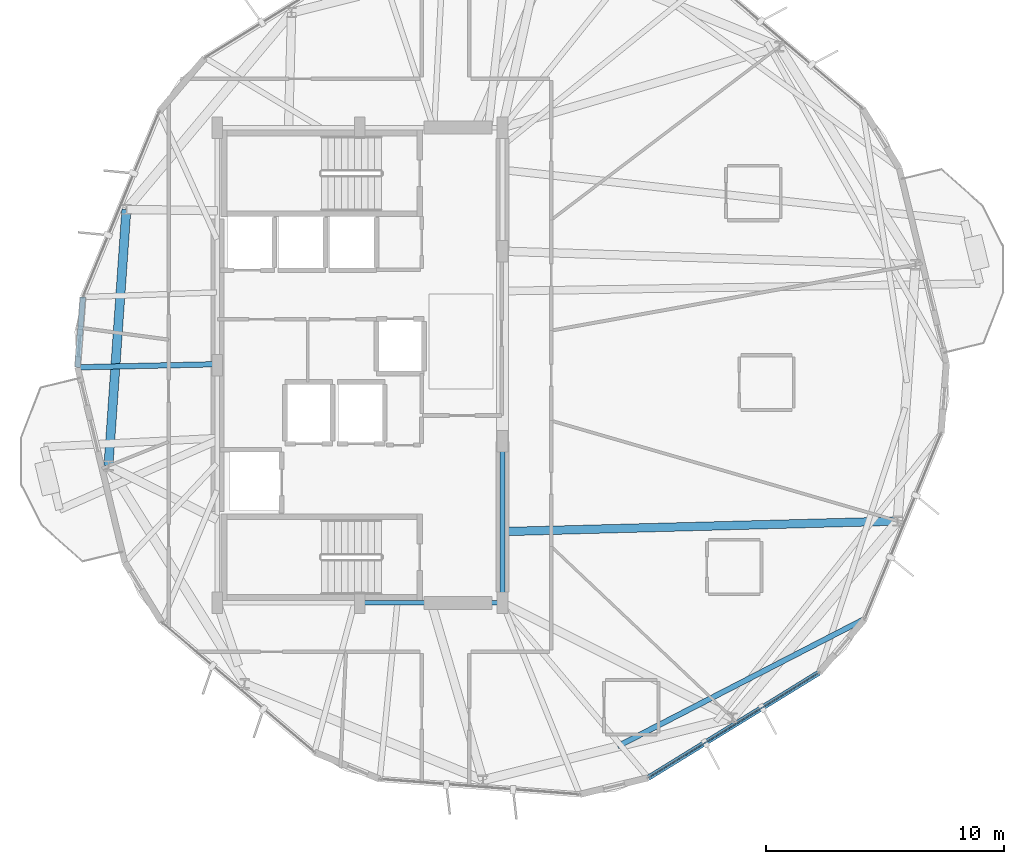
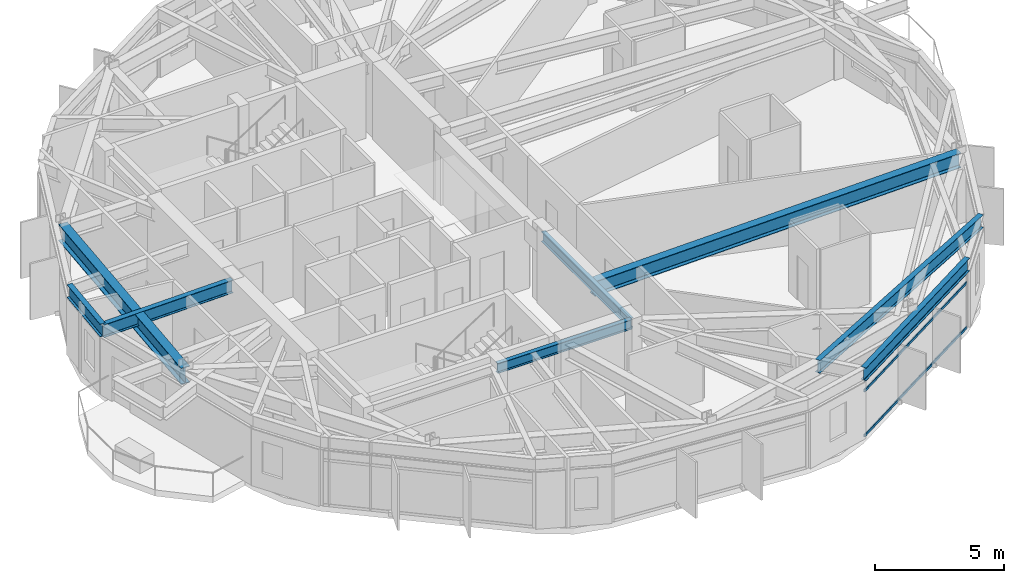
# One storey, part 5 of 21: 8 beams, 3 members, 1 element without a shape of its own.
"""IFC4 building model written with IfcOpenShell, lengths in metres."""

from ifc_helpers import new_model, si_unit, direction, frame, origin, origin_2d, place, context, subcontext, project, spatial, hollow_rectangle, i_section, extrude, material, layer, layer_set, material_profile, profile_set, type_object, element, aggregate, save


model = new_model("IFC4")

# Units and contexts
model_context = context("Model", 3, precision=1e-05, world=origin(), true_north=direction((0.0, 1.0)))
body_context = subcontext(model_context, "Body", "Model", "MODEL_VIEW")
ifc_project = project(units=[si_unit("LENGTHUNIT", "METRE"), si_unit("AREAUNIT", "SQUARE_METRE"), si_unit("VOLUMEUNIT", "CUBIC_METRE"), si_unit("PLANEANGLEUNIT", "RADIAN"), si_unit("MASSUNIT", "GRAM", prefix="KILO")], contexts=[model_context])

# Site, building, storey
site_placement = place(None, origin())
site = spatial("IfcSite", under=ifc_project, at=site_placement, CompositionType="ELEMENT")
building_placement = place(site_placement, origin())
building = spatial("IfcBuilding", under=site, at=building_placement, Name="Soratama Intermodal Tower", CompositionType="ELEMENT")
storey_placement = place(building_placement, frame((0.0, 0.0, 149.800048828125)))
storey = spatial("IfcBuildingStorey", under=building, at=storey_placement, Name="L36", CompositionType="ELEMENT", Elevation=149.800048828125)

# Beams
ifc_material_1 = material(Name="Structural steel ASTM A992 Grade 50", Category="steel")
ifc_material_profile_1 = material_profile(ifc_material_1, i_section(OverallWidth=0.19091796875, OverallDepth=0.4599609375, WebThickness=0.010009765625, FlangeThickness=0.01611328125, FilletRadius=0.010986328125, at=origin_2d()), Name="W18X55")
ifc_profile_set_1 = profile_set([ifc_material_profile_1], Name="Structural steel ASTM A992 Grade 50")
beam_type_1 = type_object("IfcBeamType", Name="BM-FLR-W18X55", PredefinedType="BEAM", material=ifc_profile_set_1)
beam_1_placement = place(storey_placement, frame((38.60009765625, 15.0, 3.070068359375), z_axis=(1.0, 0.0, 0.0), x_axis=(0.0, 1.0, 0.0)))
element("IfcBeam", 1, at=beam_1_placement, inside=storey, type_object=beam_type_1, Name="BM-L36-CRING-02", PredefinedType="BEAM", context=body_context, shape_type="SweptSolid", body=[
    extrude(i_section(OverallWidth=0.19091796875, OverallDepth=0.4599609375, WebThickness=0.010009765625, FlangeThickness=0.01611328125, FilletRadius=0.010986328125, at=origin_2d()), origin(), (0.0, 0.0, 1.0), 6.0),
])
beam_2_placement = place(storey_placement, frame((44.60009765625, 15.0, 3.070068359375), z_axis=(0.0, 1.0, 0.0), x_axis=(-1.0, 0.0, 0.0)))
element("IfcBeam", 2, at=beam_2_placement, inside=storey, type_object=beam_type_1, Name="BM-L36-CRING-03", PredefinedType="BEAM", context=body_context, shape_type="SweptSolid", body=[
    extrude(i_section(OverallWidth=0.19091796875, OverallDepth=0.4599609375, WebThickness=0.010009765625, FlangeThickness=0.01611328125, FilletRadius=0.010986328125, at=origin_2d()), origin(), (0.0, 0.0, 1.0), 6.800048828125),
])
ifc_material_2 = material(Name="Structural steel ASTM A992 Grade 50", Category="steel")
ifc_material_profile_2 = material_profile(ifc_material_2, i_section(OverallWidth=0.35498046875, OverallDepth=0.695068359375, WebThickness=0.015380859375, FlangeThickness=0.02490234375, FilletRadius=0.01611328125, at=origin_2d()), Name="W27X146")
ifc_profile_set_2 = profile_set([ifc_material_profile_2], Name="Structural steel ASTM A992 Grade 50")
beam_type_2 = type_object("IfcBeamType", Name="BM-RING-W27X146", PredefinedType="BEAM", material=ifc_profile_set_2)
beam_3_placement = place(storey_placement, frame((44.60009765625, 18.0, 2.952392578125), z_axis=(0.999643459503, 0.026701196077, 0.0), x_axis=(-0.026701196077, 0.999643459503, 0.0)))
element("IfcBeam", 3, at=beam_3_placement, inside=storey, type_object=beam_type_2, Name="BM-L36-RAD-10", PredefinedType="BEAM", context=body_context, shape_type="SweptSolid", body=[
    extrude(i_section(OverallWidth=0.35498046875, OverallDepth=0.695068359375, WebThickness=0.015380859375, FlangeThickness=0.02490234375, FilletRadius=0.01611328125, at=origin_2d()), origin(), (0.0, 0.0, 1.0), 16.6318359375),
])
ifc_material_3 = material(Name="Structural steel ASTM A992 Grade 50", Category="steel")
ifc_material_profile_3 = material_profile(ifc_material_3, i_section(OverallWidth=0.382080078125, OverallDepth=0.779052734375, WebThickness=0.01806640625, FlangeThickness=0.030029296875, FilletRadius=0.01806640625, at=origin_2d()), Name="W30X191")
ifc_profile_set_3 = profile_set([ifc_material_profile_3], Name="Structural steel ASTM A992 Grade 50")
beam_type_3 = type_object("IfcBeamType", Name="BM-RING-W30X191", PredefinedType="BEAM", material=ifc_profile_set_3)
beam_4_placement = place(storey_placement, frame((28.77392578125, 31.555908203125, 2.910400390625), z_axis=(-0.069702217409, -0.99756784275, 0.0), x_axis=(0.99756784275, -0.069702217409, 0.0)))
element("IfcBeam", 4, at=beam_4_placement, inside=storey, type_object=beam_type_3, Name="BM-L36-RING-05", PredefinedType="BEAM", context=body_context, shape_type="SweptSolid", body=[
    extrude(i_section(OverallWidth=0.382080078125, OverallDepth=0.779052734375, WebThickness=0.01806640625, FlangeThickness=0.030029296875, FilletRadius=0.01806640625, at=origin_2d()), origin(), (0.0, 0.0, 1.0), 10.816162109375),
])
ifc_material_4 = material(Name="Structural steel ASTM A992 Grade 50", Category="steel")
ifc_material_profile_4 = material_profile(ifc_material_4, i_section(OverallWidth=0.22900390625, OverallDepth=0.612060546875, WebThickness=0.011962890625, FlangeThickness=0.01953125, FilletRadius=0.012939453125, at=origin_2d()), Name="W24X84")
ifc_profile_set_4 = profile_set([ifc_material_profile_4], Name="Structural steel ASTM A992 Grade 50")
beam_type_4 = type_object("IfcBeamType", Name="BM-SPN-W24X84", PredefinedType="SPANDREL", material=ifc_profile_set_4)
beam_5_placement = place(storey_placement, frame((26.945068359375, 27.87109375, 2.993896484375), z_axis=(-0.076532879173, -0.997067058129, 0.0), x_axis=(0.997067058129, -0.076532879173, 0.0)))
element("IfcBeam", 5, at=beam_5_placement, inside=storey, type_object=beam_type_4, Name="BS-L36-CRN04", PredefinedType="SPANDREL", context=body_context, shape_type="SweptSolid", body=[
    extrude(i_section(OverallWidth=0.22900390625, OverallDepth=0.612060546875, WebThickness=0.011962890625, FlangeThickness=0.01953125, FilletRadius=0.012939453125, at=origin_2d()), origin(), (0.0, 0.0, 1.0), 2.966796875),
])
beam_6_placement = place(storey_placement, frame((50.73291015625, 7.639892578125, 2.993896484375), z_axis=(0.851538119011, 0.524292696755, 0.0), x_axis=(-0.524292696755, 0.851538119011, 0.0)))
element("IfcBeam", 6, at=beam_6_placement, inside=storey, type_object=beam_type_4, Name="BS-L36-F08", PredefinedType="SPANDREL", context=body_context, shape_type="SweptSolid", body=[
    extrude(i_section(OverallWidth=0.22900390625, OverallDepth=0.612060546875, WebThickness=0.011962890625, FlangeThickness=0.01953125, FilletRadius=0.012939453125, at=origin_2d()), origin(), (0.0, 0.0, 1.0), 8.43994140625),
])
ifc_material_5 = material(Name="Structural steel ASTM A992 Grade 50", Category="steel")
ifc_material_profile_5 = material_profile(ifc_material_5, i_section(OverallWidth=0.22900390625, OverallDepth=0.612060546875, WebThickness=0.011962890625, FlangeThickness=0.01953125, FilletRadius=0.012939453125, at=origin_2d()), Name="W24X84")
ifc_profile_set_5 = profile_set([ifc_material_profile_5], Name="Structural steel ASTM A992 Grade 50")
beam_type_5 = type_object("IfcBeamType", Name="BM-TIE-W24X84", PredefinedType="BEAM", material=ifc_profile_set_5)
beam_7_placement = place(storey_placement, frame((32.56005859375, 25.04296875, 2.993896484375), z_axis=(-0.999752950939, -0.022226945125, 0.0), x_axis=(0.022226945125, -0.999752950939, 0.0)))
element("IfcBeam", 7, at=beam_7_placement, inside=storey, type_object=beam_type_5, Name="BM-L36-TIE0-05", PredefinedType="BEAM", context=body_context, shape_type="SweptSolid", body=[
    extrude(i_section(OverallWidth=0.22900390625, OverallDepth=0.612060546875, WebThickness=0.011962890625, FlangeThickness=0.01953125, FilletRadius=0.012939453125, at=origin_2d()), origin(), (0.0, 0.0, 1.0), 5.843505859375),
])
beam_8_placement = place(storey_placement, frame((49.446044921875, 8.965087890625, 2.993896484375), z_axis=(0.888823093742, 0.458250486121, 0.0), x_axis=(-0.458250486121, 0.888823093742, 0.0)))
element("IfcBeam", 8, at=beam_8_placement, inside=storey, type_object=beam_type_5, Name="BM-L36-TIE0-09", PredefinedType="BEAM", context=body_context, shape_type="SweptSolid", body=[
    extrude(i_section(OverallWidth=0.22900390625, OverallDepth=0.612060546875, WebThickness=0.011962890625, FlangeThickness=0.01953125, FilletRadius=0.012939453125, at=origin_2d()), origin(), (0.0, 0.0, 1.0), 11.6962890625),
])

# Curtain wall, members
ifc_material_6 = material(Name="Double-glazed aluminium curtain wall", Category="aluminium")
ifc_layer = layer(ifc_material_6, 0.159912109375)
ifc_layer_set = layer_set([ifc_layer], Name="Double-glazed aluminium curtain wall")
curtain_wall_type = type_object("IfcCurtainWallType", Name="CW-SYS-4", PredefinedType="NOTDEFINED", material=ifc_layer_set)
curtain_wall_placement = place(storey_placement, origin())
curtain_wall = element("IfcCurtainWall", 9, at=curtain_wall_placement, inside=storey, type_object=curtain_wall_type, Name="L36 Faceted Curtain Wall F08", PredefinedType="NOTDEFINED")
ifc_material_7 = material(Name="Anodised aluminium AA 6063-T6", Category="aluminium")
ifc_material_profile_6 = material_profile(ifc_material_7, hollow_rectangle(XDim=0.06005859375, YDim=0.1298828125, WallThickness=0.0048828125, InnerFilletRadius=0.0048828125, OuterFilletRadius=0.010009765625, at=origin_2d()), Name="CWT130X60X5")
ifc_profile_set_6 = profile_set([ifc_material_profile_6], Name="Anodised aluminium AA 6063-T6")
member_type = type_object("IfcMemberType", Name="TT-CWT-2", PredefinedType="USERDEFINED", material=ifc_profile_set_6)
member_1_placement = place(storey_placement, frame((50.78369140625, 7.671142578125, 0.030029296875), z_axis=(0.851541430262, 0.524287318698, 0.0), x_axis=(-0.524287318698, 0.851541430262, 0.0)))
member_1 = element("IfcMember", 10, at=member_1_placement, type_object=member_type, Name="CW-4 transom 1.1", ObjectType="TRANSOM", PredefinedType="USERDEFINED", context=body_context, shape_type="SweptSolid", body=[
    extrude(hollow_rectangle(XDim=0.06005859375, YDim=0.1298828125, WallThickness=0.0048828125, InnerFilletRadius=0.0048828125, OuterFilletRadius=0.010009765625, at=origin_2d()), origin(), (0.0, 0.0, 1.0), 8.320556640625),
])
member_2_placement = place(storey_placement, frame((50.78369140625, 7.671142578125, 2.14990234375), z_axis=(0.851541430262, 0.524287318698, 0.0), x_axis=(-0.524287318698, 0.851541430262, 0.0)))
member_2 = element("IfcMember", 11, at=member_2_placement, type_object=member_type, Name="CW-4 transom 1.2", ObjectType="TRANSOM", PredefinedType="USERDEFINED", context=body_context, shape_type="SweptSolid", body=[
    extrude(hollow_rectangle(XDim=0.06005859375, YDim=0.1298828125, WallThickness=0.0048828125, InnerFilletRadius=0.0048828125, OuterFilletRadius=0.010009765625, at=origin_2d()), origin(), (0.0, 0.0, 1.0), 8.320556640625),
])
member_3_placement = place(storey_placement, frame((50.78369140625, 7.671142578125, 2.64892578125), z_axis=(0.851541430262, 0.524287318698, 0.0), x_axis=(-0.524287318698, 0.851541430262, 0.0)))
member_3 = element("IfcMember", 12, at=member_3_placement, type_object=member_type, Name="CW-4 transom 1.3", ObjectType="TRANSOM", PredefinedType="USERDEFINED", context=body_context, shape_type="SweptSolid", body=[
    extrude(hollow_rectangle(XDim=0.06005859375, YDim=0.1298828125, WallThickness=0.0048828125, InnerFilletRadius=0.0048828125, OuterFilletRadius=0.010009765625, at=origin_2d()), origin(), (0.0, 0.0, 1.0), 8.320556640625),
])
aggregate(curtain_wall, [member_1, member_2, member_3])

save(model, "model.ifc")
